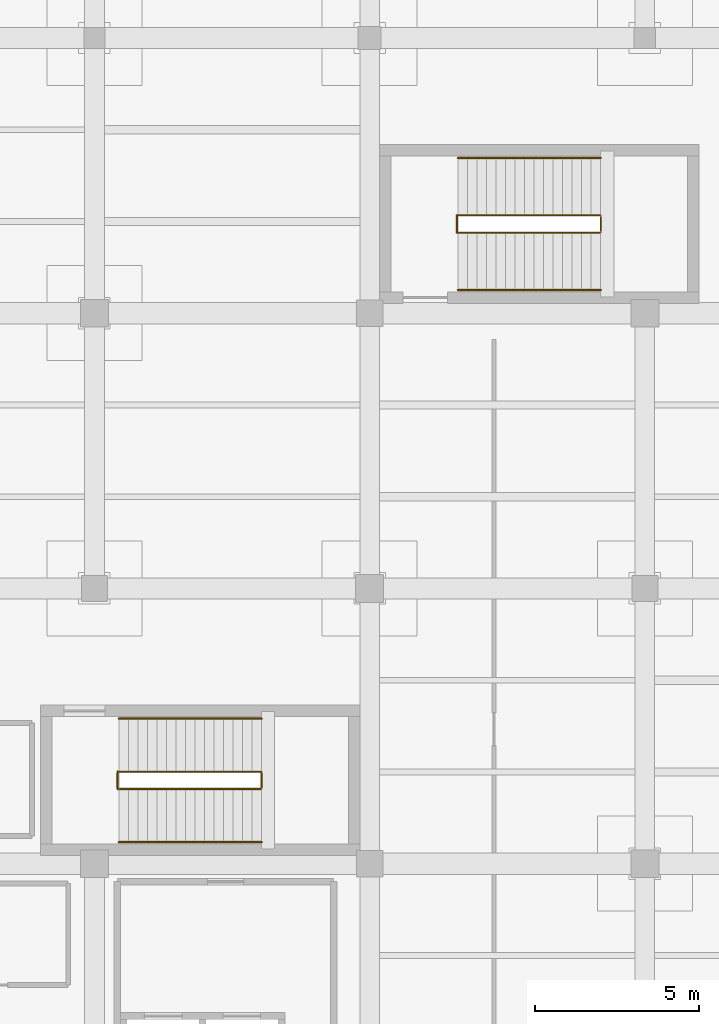
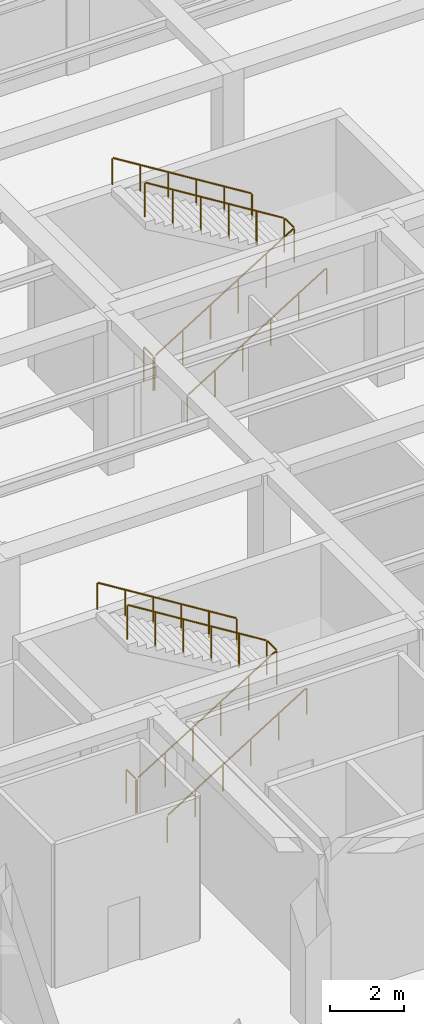
# One storey, part 64 of 65: 8 railings.
"""IFC4 building model written with IfcOpenShell, lengths in metres."""

from ifc_helpers import new_model, si_unit, direction, frame, origin, origin_2d, place, context, subcontext, project, spatial, circle, extrude, material, type_object, element, save


model = new_model("IFC4")

# Units and contexts
model_context = context("Model", 3, precision=1e-05, world=origin(), true_north=direction((0.0, 1.0)))
body_context = subcontext(model_context, "Body", "Model", "MODEL_VIEW")
ifc_project = project(units=[si_unit("LENGTHUNIT", "METRE"), si_unit("AREAUNIT", "SQUARE_METRE"), si_unit("VOLUMEUNIT", "CUBIC_METRE"), si_unit("PLANEANGLEUNIT", "RADIAN"), si_unit("MASSUNIT", "GRAM", prefix="KILO")], contexts=[model_context])

# Site, building, storey
site_placement = place(None, origin())
site = spatial("IfcSite", under=ifc_project, at=site_placement, CompositionType="ELEMENT")
building_placement = place(site_placement, origin())
building = spatial("IfcBuilding", under=site, at=building_placement, Name="Almacenes y Pasaje Nevantli", CompositionType="ELEMENT")
storey_placement = place(building_placement, frame((0.0, 0.0, 16.800048828125)))
storey = spatial("IfcBuildingStorey", under=building, at=storey_placement, Name="L04", CompositionType="ELEMENT", Elevation=16.800048828125)

# Railings
ifc_material_1 = material(Name="Brushed Stainless Steel and Tempered Safety Glass", Category="steel")
railing_type_1 = type_object("IfcRailingType", Name="RL-GUARD-1100", PredefinedType="BALUSTRADE", material=ifc_material_1)
railing_1_placement = place(storey_placement, frame((135.14990234375, 86.280029296875, 0.0)))
element("IfcRailing", 1, at=railing_1_placement, inside=storey, type_object=railing_type_1, Name="L04 Stair ST-02 Inner Well Guard Balustrade", PredefinedType="BALUSTRADE", context=body_context, shape_type="SweptSolid", body=[
    extrude(circle(Radius=0.02392578125, at=origin_2d()), frame((0.025390625, 0.0, 1.1416015625), z_axis=(0.849649743971, 0.0, 0.527347430608), x_axis=(0.0, 1.0, 0.0)), (0.0, 0.0, 1.0), 5.059814453125),
    extrude(circle(Radius=0.02392578125, at=origin_2d()), frame((4.35009765625, 0.030029296875, 3.82568359375), z_axis=(0.0, 1.0, 0.0), x_axis=(-1.0, 0.0, 0.0)), (0.0, 0.0, 1.0), 0.469970703125),
    extrude(circle(Radius=0.02392578125, at=origin_2d()), frame((4.32470703125, 0.530029296875, 3.841552734375), z_axis=(-0.849649743971, 0.0, 0.527347430608), x_axis=(0.0, -1.0, 0.0)), (0.0, 0.0, 1.0), 5.059814453125),
    extrude(circle(Radius=0.02099609375, at=origin_2d()), origin(), (0.0, 0.0, 1.0), 1.096923828125),
    extrude(circle(Radius=0.02099609375, at=origin_2d()), frame((0.8701171875, 0.0, 0.5400390625)), (0.0, 0.0, 1.0), 1.096923828125),
    extrude(circle(Radius=0.02099609375, at=origin_2d()), frame((1.739990234375, 0.0, 1.080078125)), (0.0, 0.0, 1.0), 1.096923828125),
    extrude(circle(Radius=0.02099609375, at=origin_2d()), frame((2.610107421875, 0.0, 1.619873046875)), (0.0, 0.0, 1.0), 1.096923828125),
    extrude(circle(Radius=0.02099609375, at=origin_2d()), frame((3.47998046875, 0.0, 2.159912109375)), (0.0, 0.0, 1.0), 1.096923828125),
    extrude(circle(Radius=0.02099609375, at=origin_2d()), frame((4.35009765625, 0.0, 2.699951171875)), (0.0, 0.0, 1.0), 1.096923828125),
    extrude(circle(Radius=0.02099609375, at=origin_2d()), frame((4.35009765625, 0.530029296875, 2.699951171875)), (0.0, 0.0, 1.0), 1.096923828125),
    extrude(circle(Radius=0.02099609375, at=origin_2d()), frame((3.47998046875, 0.530029296875, 3.239990234375)), (0.0, 0.0, 1.0), 1.096923828125),
    extrude(circle(Radius=0.02099609375, at=origin_2d()), frame((2.610107421875, 0.530029296875, 3.780029296875)), (0.0, 0.0, 1.0), 1.096923828125),
    extrude(circle(Radius=0.02099609375, at=origin_2d()), frame((1.739990234375, 0.530029296875, 4.31982421875)), (0.0, 0.0, 1.0), 1.096923828125),
    extrude(circle(Radius=0.02099609375, at=origin_2d()), frame((0.8701171875, 0.530029296875, 4.85986328125)), (0.0, 0.0, 1.0), 1.096923828125),
    extrude(circle(Radius=0.02099609375, at=origin_2d()), frame((0.0, 0.530029296875, 5.39990234375)), (0.0, 0.0, 1.0), 1.096923828125),
])
railing_2_placement = place(storey_placement, frame((135.110107421875, 86.280029296875, 0.0)))
element("IfcRailing", 2, at=railing_2_placement, inside=storey, type_object=railing_type_1, Name="L04 Stair ST-02 Landing Well Slot Guard", PredefinedType="BALUSTRADE", context=body_context, shape_type="SweptSolid", body=[
    extrude(circle(Radius=0.02392578125, at=origin_2d()), frame((0.0, 0.030029296875, 1.1259765625), z_axis=(0.0, 1.0, 0.0), x_axis=(-1.0, 0.0, 0.0)), (0.0, 0.0, 1.0), 0.469970703125),
    extrude(circle(Radius=0.02099609375, at=origin_2d()), origin(), (0.0, 0.0, 1.0), 1.096923828125),
    extrude(circle(Radius=0.02099609375, at=origin_2d()), frame((0.0, 0.530029296875, 0.0)), (0.0, 0.0, 1.0), 1.096923828125),
])
railing_3_placement = place(storey_placement, frame((145.5, 103.260009765625, 0.0)))
element("IfcRailing", 3, at=railing_3_placement, inside=storey, type_object=railing_type_1, Name="L04 Stair ST-07 Inner Well Guard Balustrade", PredefinedType="BALUSTRADE", context=body_context, shape_type="SweptSolid", body=[
    extrude(circle(Radius=0.02392578125, at=origin_2d()), frame((0.025390625, 0.0, 1.1416015625), z_axis=(0.849649743971, 0.0, 0.527347430608), x_axis=(0.0, 1.0, 0.0)), (0.0, 0.0, 1.0), 5.059814453125),
    extrude(circle(Radius=0.02392578125, at=origin_2d()), frame((4.35009765625, 0.030029296875, 3.82568359375), z_axis=(0.0, 1.0, 0.0), x_axis=(-1.0, 0.0, 0.0)), (0.0, 0.0, 1.0), 0.469970703125),
    extrude(circle(Radius=0.02392578125, at=origin_2d()), frame((4.32470703125, 0.530029296875, 3.841552734375), z_axis=(-0.849649743971, 0.0, 0.527347430608), x_axis=(0.0, -1.0, 0.0)), (0.0, 0.0, 1.0), 5.059814453125),
    extrude(circle(Radius=0.02099609375, at=origin_2d()), origin(), (0.0, 0.0, 1.0), 1.096923828125),
    extrude(circle(Radius=0.02099609375, at=origin_2d()), frame((0.8701171875, 0.0, 0.5400390625)), (0.0, 0.0, 1.0), 1.096923828125),
    extrude(circle(Radius=0.02099609375, at=origin_2d()), frame((1.739990234375, 0.0, 1.080078125)), (0.0, 0.0, 1.0), 1.096923828125),
    extrude(circle(Radius=0.02099609375, at=origin_2d()), frame((2.610107421875, 0.0, 1.619873046875)), (0.0, 0.0, 1.0), 1.096923828125),
    extrude(circle(Radius=0.02099609375, at=origin_2d()), frame((3.47998046875, 0.0, 2.159912109375)), (0.0, 0.0, 1.0), 1.096923828125),
    extrude(circle(Radius=0.02099609375, at=origin_2d()), frame((4.35009765625, 0.0, 2.699951171875)), (0.0, 0.0, 1.0), 1.096923828125),
    extrude(circle(Radius=0.02099609375, at=origin_2d()), frame((4.35009765625, 0.530029296875, 2.699951171875)), (0.0, 0.0, 1.0), 1.096923828125),
    extrude(circle(Radius=0.02099609375, at=origin_2d()), frame((3.47998046875, 0.530029296875, 3.239990234375)), (0.0, 0.0, 1.0), 1.096923828125),
    extrude(circle(Radius=0.02099609375, at=origin_2d()), frame((2.610107421875, 0.530029296875, 3.780029296875)), (0.0, 0.0, 1.0), 1.096923828125),
    extrude(circle(Radius=0.02099609375, at=origin_2d()), frame((1.739990234375, 0.530029296875, 4.31982421875)), (0.0, 0.0, 1.0), 1.096923828125),
    extrude(circle(Radius=0.02099609375, at=origin_2d()), frame((0.8701171875, 0.530029296875, 4.85986328125)), (0.0, 0.0, 1.0), 1.096923828125),
    extrude(circle(Radius=0.02099609375, at=origin_2d()), frame((0.0, 0.530029296875, 5.39990234375)), (0.0, 0.0, 1.0), 1.096923828125),
])
railing_4_placement = place(storey_placement, frame((145.4599609375, 103.260009765625, 0.0)))
element("IfcRailing", 4, at=railing_4_placement, inside=storey, type_object=railing_type_1, Name="L04 Stair ST-07 Landing Well Slot Guard", PredefinedType="BALUSTRADE", context=body_context, shape_type="SweptSolid", body=[
    extrude(circle(Radius=0.02392578125, at=origin_2d()), frame((0.0, 0.030029296875, 1.1259765625), z_axis=(0.0, 1.0, 0.0), x_axis=(-1.0, 0.0, 0.0)), (0.0, 0.0, 1.0), 0.469970703125),
    extrude(circle(Radius=0.02099609375, at=origin_2d()), origin(), (0.0, 0.0, 1.0), 1.096923828125),
    extrude(circle(Radius=0.02099609375, at=origin_2d()), frame((0.0, 0.530029296875, 0.0)), (0.0, 0.0, 1.0), 1.096923828125),
])
ifc_material_2 = material(Name="Brushed Stainless Steel Tube", Category="steel")
railing_type_2 = type_object("IfcRailingType", Name="RL-HANDRAIL-900", PredefinedType="HANDRAIL", material=ifc_material_2)
railing_5_placement = place(storey_placement, frame((135.14990234375, 84.659912109375, 0.0)))
element("IfcRailing", 5, at=railing_5_placement, inside=storey, type_object=railing_type_2, Name="L04 Stair ST-02 Lower Flight Handrail", PredefinedType="HANDRAIL", context=body_context, shape_type="SweptSolid", body=[
    extrude(circle(Radius=0.02392578125, at=origin_2d()), frame((0.025390625, 0.0, 0.8916015625), z_axis=(0.849649743971, 0.0, 0.527347430608), x_axis=(0.0, 1.0, 0.0)), (0.0, 0.0, 1.0), 5.059814453125),
    extrude(circle(Radius=0.02099609375, at=origin_2d()), origin(), (0.0, 0.0, 1.0), 0.846923828125),
    extrude(circle(Radius=0.02099609375, at=origin_2d()), frame((0.8701171875, 0.0, 0.5400390625)), (0.0, 0.0, 1.0), 0.846923828125),
    extrude(circle(Radius=0.02099609375, at=origin_2d()), frame((1.739990234375, 0.0, 1.080078125)), (0.0, 0.0, 1.0), 0.846923828125),
    extrude(circle(Radius=0.02099609375, at=origin_2d()), frame((2.610107421875, 0.0, 1.619873046875)), (0.0, 0.0, 1.0), 0.846923828125),
    extrude(circle(Radius=0.02099609375, at=origin_2d()), frame((3.47998046875, 0.0, 2.159912109375)), (0.0, 0.0, 1.0), 0.846923828125),
    extrude(circle(Radius=0.02099609375, at=origin_2d()), frame((4.35009765625, 0.0, 2.699951171875)), (0.0, 0.0, 1.0), 0.846923828125),
])
railing_6_placement = place(storey_placement, frame((139.5, 88.429931640625, 2.699951171875)))
element("IfcRailing", 6, at=railing_6_placement, inside=storey, type_object=railing_type_2, Name="L04 Stair ST-02 Upper Flight Handrail", PredefinedType="HANDRAIL", context=body_context, shape_type="SweptSolid", body=[
    extrude(circle(Radius=0.02392578125, at=origin_2d()), frame((-0.025390625, 0.0, 0.8916015625), z_axis=(-0.849649743971, 0.0, 0.527347430608), x_axis=(0.0, -1.0, 0.0)), (0.0, 0.0, 1.0), 5.059814453125),
    extrude(circle(Radius=0.02099609375, at=origin_2d()), origin(), (0.0, 0.0, 1.0), 0.846923828125),
    extrude(circle(Radius=0.02099609375, at=origin_2d()), frame((-0.8701171875, 0.0, 0.5400390625)), (0.0, 0.0, 1.0), 0.846923828125),
    extrude(circle(Radius=0.02099609375, at=origin_2d()), frame((-1.739990234375, 0.0, 1.080078125)), (0.0, 0.0, 1.0), 0.846923828125),
    extrude(circle(Radius=0.02099609375, at=origin_2d()), frame((-2.610107421875, 0.0, 1.619873046875)), (0.0, 0.0, 1.0), 0.846923828125),
    extrude(circle(Radius=0.02099609375, at=origin_2d()), frame((-3.47998046875, 0.0, 2.159912109375)), (0.0, 0.0, 1.0), 0.846923828125),
    extrude(circle(Radius=0.02099609375, at=origin_2d()), frame((-4.35009765625, 0.0, 2.699951171875)), (0.0, 0.0, 1.0), 0.846923828125),
])
railing_7_placement = place(storey_placement, frame((145.5, 101.510009765625, 0.0)))
element("IfcRailing", 7, at=railing_7_placement, inside=storey, type_object=railing_type_2, Name="L04 Stair ST-07 Lower Flight Handrail", PredefinedType="HANDRAIL", context=body_context, shape_type="SweptSolid", body=[
    extrude(circle(Radius=0.02392578125, at=origin_2d()), frame((0.025390625, 0.0, 0.8916015625), z_axis=(0.849649743971, 0.0, 0.527347430608), x_axis=(0.0, 1.0, 0.0)), (0.0, 0.0, 1.0), 5.059814453125),
    extrude(circle(Radius=0.02099609375, at=origin_2d()), origin(), (0.0, 0.0, 1.0), 0.846923828125),
    extrude(circle(Radius=0.02099609375, at=origin_2d()), frame((0.8701171875, 0.0, 0.5400390625)), (0.0, 0.0, 1.0), 0.846923828125),
    extrude(circle(Radius=0.02099609375, at=origin_2d()), frame((1.739990234375, 0.0, 1.080078125)), (0.0, 0.0, 1.0), 0.846923828125),
    extrude(circle(Radius=0.02099609375, at=origin_2d()), frame((2.610107421875, 0.0, 1.619873046875)), (0.0, 0.0, 1.0), 0.846923828125),
    extrude(circle(Radius=0.02099609375, at=origin_2d()), frame((3.47998046875, 0.0, 2.159912109375)), (0.0, 0.0, 1.0), 0.846923828125),
    extrude(circle(Radius=0.02099609375, at=origin_2d()), frame((4.35009765625, 0.0, 2.699951171875)), (0.0, 0.0, 1.0), 0.846923828125),
])
railing_8_placement = place(storey_placement, frame((149.85009765625, 105.5400390625, 2.699951171875)))
element("IfcRailing", 8, at=railing_8_placement, inside=storey, type_object=railing_type_2, Name="L04 Stair ST-07 Upper Flight Handrail", PredefinedType="HANDRAIL", context=body_context, shape_type="SweptSolid", body=[
    extrude(circle(Radius=0.02392578125, at=origin_2d()), frame((-0.025390625, 0.0, 0.8916015625), z_axis=(-0.849649743971, 0.0, 0.527347430608), x_axis=(0.0, -1.0, 0.0)), (0.0, 0.0, 1.0), 5.059814453125),
    extrude(circle(Radius=0.02099609375, at=origin_2d()), origin(), (0.0, 0.0, 1.0), 0.846923828125),
    extrude(circle(Radius=0.02099609375, at=origin_2d()), frame((-0.8701171875, 0.0, 0.5400390625)), (0.0, 0.0, 1.0), 0.846923828125),
    extrude(circle(Radius=0.02099609375, at=origin_2d()), frame((-1.739990234375, 0.0, 1.080078125)), (0.0, 0.0, 1.0), 0.846923828125),
    extrude(circle(Radius=0.02099609375, at=origin_2d()), frame((-2.610107421875, 0.0, 1.619873046875)), (0.0, 0.0, 1.0), 0.846923828125),
    extrude(circle(Radius=0.02099609375, at=origin_2d()), frame((-3.47998046875, 0.0, 2.159912109375)), (0.0, 0.0, 1.0), 0.846923828125),
    extrude(circle(Radius=0.02099609375, at=origin_2d()), frame((-4.35009765625, 0.0, 2.699951171875)), (0.0, 0.0, 1.0), 0.846923828125),
])

save(model, "model.ifc")
